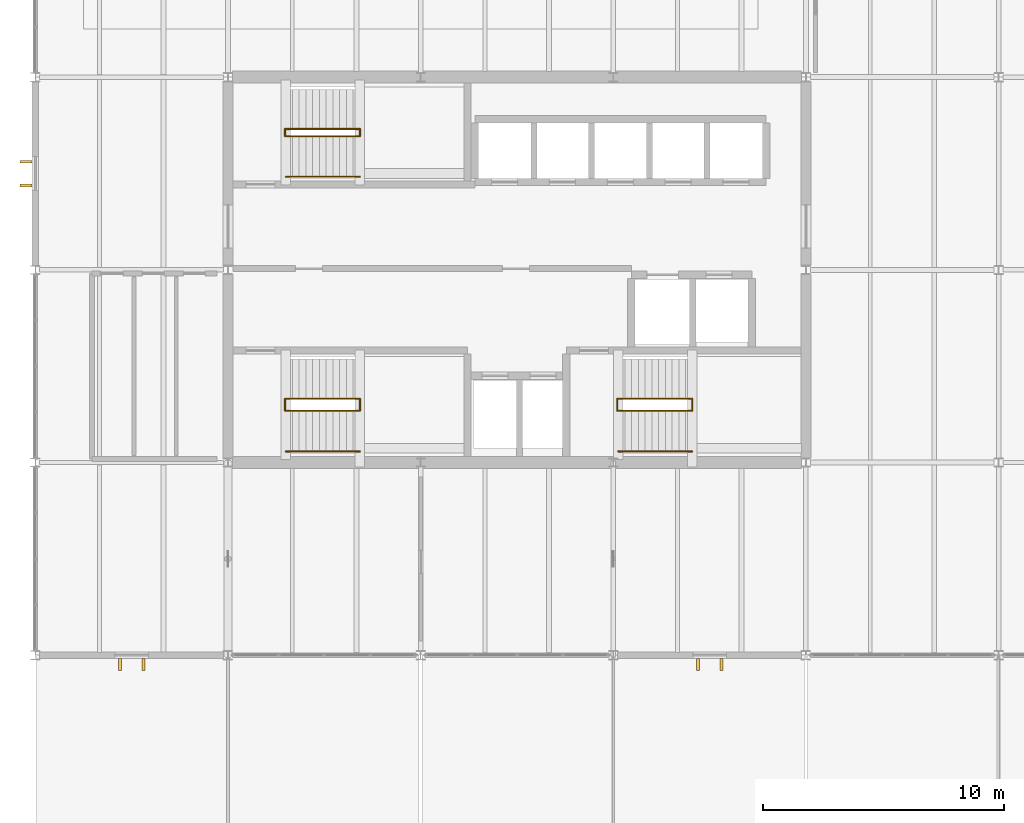
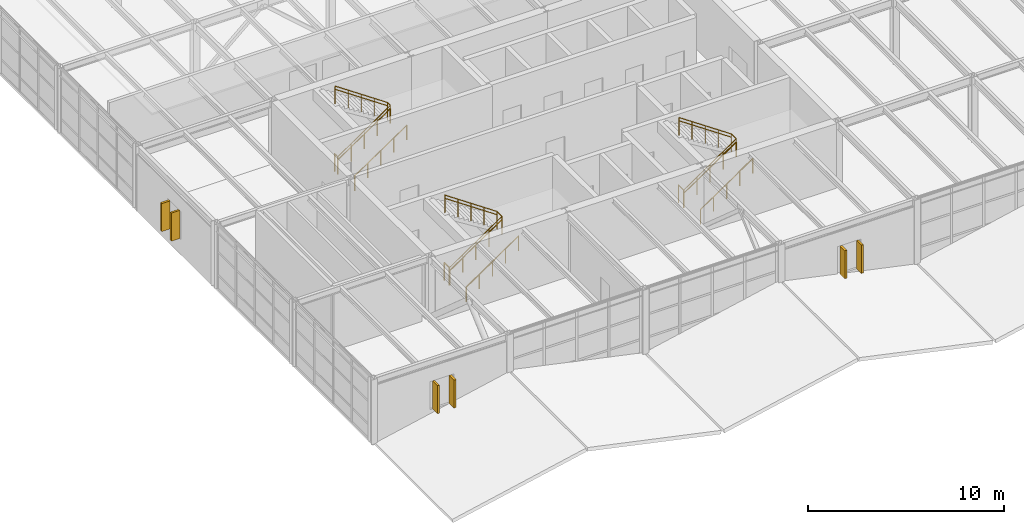
# One storey, part 32 of 34: 18 railings, 6 shading devices.
"""IFC4 building model written with IfcOpenShell, lengths in metres."""

import ifcopenshell
import ifcopenshell.guid

model = None  # the IFC model being written
_history = None  # IfcOwnerHistory: only IFC2X3 demands one
_inside = {}  # id of a spatial element -> (the spatial element, [elements in it])
_under = {}  # id of a project, library or spatial element -> (it, [spatial elements below it])
_declared = {}  # id of a project -> (the project, [libraries it declares])
_typed = {}  # id of a type object -> (the type object, [elements of that type])
_made_of = {}  # id of a material, layer set ... -> (it, [elements and type objects made of it])


def new_model(schema):
    """Start an empty IFC model of exactly this schema.

    Asked for "IFC4X3", IfcOpenShell would pick the latest addendum, in which some entities
    have other attributes; the version numbers below select the first issue.
    IFC2X3 requires an IfcOwnerHistory on every rooted entity: one is made here for all.
    """
    global model, _history
    if schema == "IFC4X3":
        model = ifcopenshell.file(schema_version=(4, 3, 0, 0))
    else:
        model = ifcopenshell.file(schema=schema)
    _inside.clear()
    _under.clear()
    _declared.clear()
    _typed.clear()
    _made_of.clear()
    _history = None
    if model.schema == "IFC2X3":
        org = make("IfcOrganization", Name="unknown")
        user = make(
            "IfcPersonAndOrganization",
            ThePerson=make("IfcPerson", FamilyName="unknown"),
            TheOrganization=org,
        )
        app = make(
            "IfcApplication",
            ApplicationDeveloper=org,
            Version="unknown",
            ApplicationFullName="unknown",
            ApplicationIdentifier="unknown",
        )
        _history = make(
            "IfcOwnerHistory",
            OwningUser=user,
            OwningApplication=app,
            ChangeAction="ADDED",
            CreationDate=0,
        )
    return model


def make(cls, **values):
    """One entity of the class cls with the attributes given. An attribute that is None is left unset."""
    return model.create_entity(
        cls, **{name: value for name, value in values.items() if value is not None}
    )


def rooted(cls, **values):
    """An entity with a GlobalId (a new one), such as an element, a storey or a relation."""
    return make(cls, GlobalId=ifcopenshell.guid.new(), OwnerHistory=_history, **values)


def si_unit(unit_type, name, prefix=None):
    """IfcSIUnit, for example si_unit("LENGTHUNIT", "METRE", prefix="MILLI")."""
    return make("IfcSIUnit", UnitType=unit_type, Prefix=prefix, Name=name)


def assignment(units):
    """IfcUnitAssignment: the units of a project."""
    return None if units is None else make("IfcUnitAssignment", Units=units)


def point(xyz):
    """IfcCartesianPoint."""
    return None if xyz is None else make("IfcCartesianPoint", Coordinates=xyz)


def direction(xyz):
    """IfcDirection."""
    return None if xyz is None else make("IfcDirection", DirectionRatios=xyz)


def frame(location, z_axis=None, x_axis=None):
    """IfcAxis2Placement3D, a coordinate frame: its origin and axes. An axis left out is left unset."""
    return make(
        "IfcAxis2Placement3D",
        Location=point(location),
        Axis=direction(z_axis),
        RefDirection=direction(x_axis),
    )


def frame_2d(location, x_axis=None):
    """IfcAxis2Placement2D, a coordinate frame in the plane: its origin and x axis."""
    return make(
        "IfcAxis2Placement2D", Location=point(location), RefDirection=direction(x_axis)
    )


def origin():
    """The frame at (0, 0, 0) with its axes left unset."""
    return frame((0.0, 0.0, 0.0))


def origin_2d():
    """The frame at (0, 0) in the plane with its x axis left unset."""
    return frame_2d((0.0, 0.0))


def place(relative_to, where):
    """IfcLocalPlacement: puts the frame where relative to a parent placement (None: the world)."""
    return make(
        "IfcLocalPlacement", PlacementRelTo=relative_to, RelativePlacement=where
    )


def context(
    kind, dimensions, precision=None, world=None, true_north=None, identifier=None
):
    """IfcGeometricRepresentationContext, for example the 3D "Model" context."""
    return make(
        "IfcGeometricRepresentationContext",
        ContextIdentifier=identifier,
        ContextType=kind,
        CoordinateSpaceDimension=dimensions,
        Precision=precision,
        WorldCoordinateSystem=world,
        TrueNorth=true_north,
    )


def subcontext(parent, identifier, kind, view, scale=None):
    """IfcGeometricRepresentationSubContext, for example "Body" below "Model"."""
    return make(
        "IfcGeometricRepresentationSubContext",
        ContextIdentifier=identifier,
        ContextType=kind,
        ParentContext=parent,
        TargetScale=scale,
        TargetView=view,
    )


def project(units=None, contexts=None):
    """IfcProject with its units and contexts."""
    return rooted(
        "IfcProject",
        Name="project",
        RepresentationContexts=contexts,
        UnitsInContext=assignment(units),
    )


def spatial(cls, under=None, at=None, **own):
    """A site, building, storey or space (cls), placed at a placement, below another one or the project."""
    s = rooted(cls, ObjectPlacement=at, **own)
    if under is not None:
        _under.setdefault(under.id(), (under, []))[1].append(s)
    return s


def profile(cls, at=None, kind="AREA", **sizes):
    """A parametric profile (cls). Its sizes go by their IFC names, for example OverallWidth=200.0."""
    return make(cls, ProfileType=kind, Position=at, **sizes)


def rectangle(**sizes):
    """IfcRectangleProfileDef."""
    return profile("IfcRectangleProfileDef", **sizes)


def circle(**sizes):
    """IfcCircleProfileDef."""
    return profile("IfcCircleProfileDef", **sizes)


def extrude(swept, where, along, depth):
    """IfcExtrudedAreaSolid: the profile swept, set in the frame where, extruded along a direction by depth."""
    return make(
        "IfcExtrudedAreaSolid",
        SweptArea=swept,
        Position=where,
        ExtrudedDirection=direction(along),
        Depth=depth,
    )


def shape(context_of_items, identifier, shape_type, items):
    """IfcShapeRepresentation: the items that make up one representation, for example the "Body"."""
    return make(
        "IfcShapeRepresentation",
        ContextOfItems=context_of_items,
        RepresentationIdentifier=identifier,
        RepresentationType=shape_type,
        Items=items,
    )


def material(Name=None, Category=None):
    """IfcMaterial."""
    return make("IfcMaterial", Name=Name, Category=Category)


def made_of(thing, what):
    """Note that an element or type object is made of a material, layer set ...; save() writes the relation."""
    if what is not None:
        _made_of.setdefault(what.id(), (what, []))[1].append(thing)
    return thing


def type_object(cls, material=None, **own):
    """A type object (cls), such as IfcWallType, which elements share."""
    return made_of(rooted(cls, **own), material)


def element(
    cls,
    number,
    at=None,
    inside=None,
    cuts=None,
    type_object=None,
    material=None,
    context=None,
    identifier="Body",
    shape_type=None,
    held_by="IfcProductDefinitionShape",
    body=None,
    shapes=None,
    **own,
):
    """One element of the class cls, such as IfcWall. Its Tag is "e" and its number.

    at: its placement. inside: the storey or other place that contains it. cuts: it is an
    opening in that element (IfcRelVoidsElement). A single representation is given by context,
    identifier, shape_type and body (its items); several are given by shapes. held_by: the class
    of the entity that holds the representations. save() writes the other relations.
    """
    e = rooted(cls, Tag="e%d" % number, ObjectPlacement=at, **own)
    if body is not None:
        shapes = [shape(context, identifier, shape_type, body)]
    if shapes is not None:
        e.Representation = make(held_by, Representations=shapes)
    if inside is not None:
        _inside.setdefault(inside.id(), (inside, []))[1].append(e)
    if cuts is not None:
        rooted(
            "IfcRelVoidsElement", RelatingBuildingElement=cuts, RelatedOpeningElement=e
        )
    if type_object is not None:
        _typed.setdefault(type_object.id(), (type_object, []))[1].append(e)
    return made_of(e, material)


def aggregate(whole, parts):
    """IfcRelAggregates: a whole, such as a stair, and the parts it consists of."""
    return rooted("IfcRelAggregates", RelatingObject=whole, RelatedObjects=parts)


def save(model, path):
    """Write the relations noted so far, then the file.

    IfcRelAggregates (storeys below a building ...), IfcRelContainedInSpatialStructure (elements
    in a storey), IfcRelDefinesByType, IfcRelAssociatesMaterial and IfcRelDeclares: one each for
    every whole, place, type object, material and project.
    """
    for whole, parts in _under.values():
        aggregate(whole, parts)
    for where, things in _inside.values():
        rooted(
            "IfcRelContainedInSpatialStructure",
            RelatedElements=things,
            RelatingStructure=where,
        )
    for kind, things in _typed.values():
        rooted("IfcRelDefinesByType", RelatedObjects=things, RelatingType=kind)
    for what, things in _made_of.values():
        rooted("IfcRelAssociatesMaterial", RelatedObjects=things, RelatingMaterial=what)
    for by, libraries in _declared.values():
        rooted("IfcRelDeclares", RelatingContext=by, RelatedDefinitions=libraries)
    model.write(path)


model = new_model("IFC4")

# Units and contexts
model_context = context("Model", 3, precision=1e-05, world=origin(), true_north=direction((0.0, 1.0)))
body_context = subcontext(model_context, "Body", "Model", "MODEL_VIEW")
ifc_project = project(units=[si_unit("LENGTHUNIT", "METRE"), si_unit("AREAUNIT", "SQUARE_METRE"), si_unit("VOLUMEUNIT", "CUBIC_METRE"), si_unit("PLANEANGLEUNIT", "RADIAN"), si_unit("MASSUNIT", "GRAM", prefix="KILO")], contexts=[model_context])

# Site, building, storey
site_placement = place(None, origin())
site = spatial("IfcSite", under=ifc_project, at=site_placement, CompositionType="ELEMENT")
building_placement = place(site_placement, origin())
building = spatial("IfcBuilding", under=site, at=building_placement, Name="Varnela Railside Interchange", CompositionType="ELEMENT")
storey_placement = place(building_placement, frame((0.0, 0.0, 19.60009765625)))
storey = spatial("IfcBuildingStorey", under=building, at=storey_placement, Name="L04", CompositionType="ELEMENT", Elevation=19.60009765625)

# Shading devices
ifc_material_1 = material(Name="Concrete C40 precast", Category="concrete")
shading_device_type = type_object("IfcShadingDeviceType", Name="Paulista Vertical Brise-Soleil BS-01", PredefinedType="USERDEFINED", material=ifc_material_1)
for number, where, z_axis, x_axis, name in (
    (1, (32.489990234375, 45.614990234375, 0.949951171875), (0.0, 0.0, 1.0), (0.0, -1.0, 0.0), "Paulista Vertical Brise-Soleil BS-01 (L04)"),
    (2, (31.510009765625, 45.614990234375, 0.949951171875), (0.0, 0.0, 1.0), (0.0, -1.0, 0.0), "Paulista Vertical Brise-Soleil BS-01 (L04)"),
    (3, (8.489990234375, 45.614990234375, 0.949951171875), (0.0, 0.0, 1.0), (0.0, -1.0, 0.0), "Paulista Vertical Brise-Soleil BS-01 (L04)"),
    (4, (7.510009765625, 45.614990234375, 0.949951171875), (0.0, 0.0, 1.0), (0.0, -1.0, 0.0), "Paulista Vertical Brise-Soleil BS-01 (L04)"),
    (5, (3.614990234375, 65.510009765625, 0.949951171875), (0.0, 0.0, 1.0), (-1.0, 0.0, 0.0), "Paulista Vertical Brise-Soleil BS-01 (L04)"),
    (6, (3.614990234375, 66.489990234375, 0.949951171875), (0.0, 0.0, 1.0), (-1.0, 0.0, 0.0), "Paulista Vertical Brise-Soleil BS-01 (L04)"),
):
    element("IfcShadingDevice", number, at=place(storey_placement, frame(where, z_axis=z_axis, x_axis=x_axis)), inside=storey, type_object=shading_device_type, Name=name, ObjectType="FIN", PredefinedType="USERDEFINED", context=body_context, shape_type="SweptSolid", body=[
        extrude(rectangle(XDim=0.5, YDim=0.1201171875, at=origin_2d()), origin(), (0.0, 0.0, 1.0), 1.75),
    ])

# Railings
ifc_material_2 = material(Name="Steel AR 350 (350 MPa)", Category="steel")
railing_type_1 = type_object("IfcRailingType", Name="Stair & Ramp Pitch Handrail HR-01", PredefinedType="HANDRAIL", material=ifc_material_2)
railing_1_placement = place(storey_placement, frame((14.39990234375, 56.14990234375, 0.0)))
element("IfcRailing", 7, at=railing_1_placement, inside=storey, type_object=railing_type_1, Name="Stair Handrail ST-T1 Flight 1 (RL-0425)", PredefinedType="HANDRAIL", context=body_context, shape_type="SweptSolid", body=[
    extrude(circle(Radius=0.02392578125, at=origin_2d()), frame((0.0, 0.0, 0.89599609375), z_axis=(0.826252282691, 0.0, 0.563300244406), x_axis=(0.0, 1.0, 0.0)), (0.0, 0.0, 1.0), 3.727783203125),
    extrude(circle(Radius=0.02099609375, at=origin_2d()), origin(), (0.0, 0.0, 1.0), 0.871826171875),
    extrude(circle(Radius=0.02099609375, at=origin_2d()), frame((0.77001953125, 0.0, 0.52490234375)), (0.0, 0.0, 1.0), 0.871826171875),
    extrude(circle(Radius=0.02099609375, at=origin_2d()), frame((1.5400390625, 0.0, 1.0498046875)), (0.0, 0.0, 1.0), 0.871826171875),
    extrude(circle(Radius=0.02099609375, at=origin_2d()), frame((2.31005859375, 0.0, 1.574951171875)), (0.0, 0.0, 1.0), 0.871826171875),
    extrude(circle(Radius=0.02099609375, at=origin_2d()), frame((3.080078125, 0.0, 2.099853515625)), (0.0, 0.0, 1.0), 0.871826171875),
])
railing_2_placement = place(storey_placement, frame((17.47998046875, 56.64990234375, 2.099853515625)))
element("IfcRailing", 8, at=railing_2_placement, inside=storey, type_object=railing_type_1, Name="Stair Handrail ST-T1 Flight 2 (RL-0426)", PredefinedType="HANDRAIL", context=body_context, shape_type="SweptSolid", body=[
    extrude(circle(Radius=0.02392578125, at=origin_2d()), frame((0.0, 0.0, 0.89599609375), z_axis=(-0.826221800596, 0.0, 0.563344953133), x_axis=(0.0, -1.0, 0.0)), (0.0, 0.0, 1.0), 3.72802734375),
    extrude(circle(Radius=0.02099609375, at=origin_2d()), origin(), (0.0, 0.0, 1.0), 0.871826171875),
    extrude(circle(Radius=0.02099609375, at=origin_2d()), frame((-0.77001953125, 0.0, 0.52490234375)), (0.0, 0.0, 1.0), 0.871826171875),
    extrude(circle(Radius=0.02099609375, at=origin_2d()), frame((-1.5400390625, 0.0, 1.050048828125)), (0.0, 0.0, 1.0), 0.871826171875),
    extrude(circle(Radius=0.02099609375, at=origin_2d()), frame((-2.31005859375, 0.0, 1.5751953125)), (0.0, 0.0, 1.0), 0.871826171875),
    extrude(circle(Radius=0.02099609375, at=origin_2d()), frame((-3.080078125, 0.0, 2.10009765625)), (0.0, 0.0, 1.0), 0.871826171875),
])
railing_3_placement = place(storey_placement, frame((28.199951171875, 56.14990234375, 0.0)))
element("IfcRailing", 9, at=railing_3_placement, inside=storey, type_object=railing_type_1, Name="Stair Handrail ST-T2 Flight 1 (RL-0427)", PredefinedType="HANDRAIL", context=body_context, shape_type="SweptSolid", body=[
    extrude(circle(Radius=0.02392578125, at=origin_2d()), frame((0.0, 0.0, 0.89599609375), z_axis=(0.826252282691, 0.0, 0.563300244406), x_axis=(0.0, 1.0, 0.0)), (0.0, 0.0, 1.0), 3.727783203125),
    extrude(circle(Radius=0.02099609375, at=origin_2d()), origin(), (0.0, 0.0, 1.0), 0.871826171875),
    extrude(circle(Radius=0.02099609375, at=origin_2d()), frame((0.77001953125, 0.0, 0.52490234375)), (0.0, 0.0, 1.0), 0.871826171875),
    extrude(circle(Radius=0.02099609375, at=origin_2d()), frame((1.5400390625, 0.0, 1.0498046875)), (0.0, 0.0, 1.0), 0.871826171875),
    extrude(circle(Radius=0.02099609375, at=origin_2d()), frame((2.31005859375, 0.0, 1.574951171875)), (0.0, 0.0, 1.0), 0.871826171875),
    extrude(circle(Radius=0.02099609375, at=origin_2d()), frame((3.080078125, 0.0, 2.099853515625)), (0.0, 0.0, 1.0), 0.871826171875),
])
railing_4_placement = place(storey_placement, frame((31.280029296875, 56.64990234375, 2.099853515625)))
element("IfcRailing", 10, at=railing_4_placement, inside=storey, type_object=railing_type_1, Name="Stair Handrail ST-T2 Flight 2 (RL-0428)", PredefinedType="HANDRAIL", context=body_context, shape_type="SweptSolid", body=[
    extrude(circle(Radius=0.02392578125, at=origin_2d()), frame((0.0, 0.0, 0.89599609375), z_axis=(-0.826221800596, 0.0, 0.563344953133), x_axis=(0.0, -1.0, 0.0)), (0.0, 0.0, 1.0), 3.72802734375),
    extrude(circle(Radius=0.02099609375, at=origin_2d()), origin(), (0.0, 0.0, 1.0), 0.871826171875),
    extrude(circle(Radius=0.02099609375, at=origin_2d()), frame((-0.77001953125, 0.0, 0.52490234375)), (0.0, 0.0, 1.0), 0.871826171875),
    extrude(circle(Radius=0.02099609375, at=origin_2d()), frame((-1.5400390625, 0.0, 1.050048828125)), (0.0, 0.0, 1.0), 0.871826171875),
    extrude(circle(Radius=0.02099609375, at=origin_2d()), frame((-2.31005859375, 0.0, 1.5751953125)), (0.0, 0.0, 1.0), 0.871826171875),
    extrude(circle(Radius=0.02099609375, at=origin_2d()), frame((-3.080078125, 0.0, 2.10009765625)), (0.0, 0.0, 1.0), 0.871826171875),
])
railing_5_placement = place(storey_placement, frame((14.39990234375, 67.550048828125, 0.0)))
element("IfcRailing", 11, at=railing_5_placement, inside=storey, type_object=railing_type_1, Name="Stair Handrail ST-T3 Flight 1 (RL-0429)", PredefinedType="HANDRAIL", context=body_context, shape_type="SweptSolid", body=[
    extrude(circle(Radius=0.02392578125, at=origin_2d()), frame((0.0, 0.0, 0.89599609375), z_axis=(0.826252282691, 0.0, 0.563300244406), x_axis=(0.0, 1.0, 0.0)), (0.0, 0.0, 1.0), 3.727783203125),
    extrude(circle(Radius=0.02099609375, at=origin_2d()), origin(), (0.0, 0.0, 1.0), 0.871826171875),
    extrude(circle(Radius=0.02099609375, at=origin_2d()), frame((0.77001953125, 0.0, 0.52490234375)), (0.0, 0.0, 1.0), 0.871826171875),
    extrude(circle(Radius=0.02099609375, at=origin_2d()), frame((1.5400390625, 0.0, 1.0498046875)), (0.0, 0.0, 1.0), 0.871826171875),
    extrude(circle(Radius=0.02099609375, at=origin_2d()), frame((2.31005859375, 0.0, 1.574951171875)), (0.0, 0.0, 1.0), 0.871826171875),
    extrude(circle(Radius=0.02099609375, at=origin_2d()), frame((3.080078125, 0.0, 2.099853515625)), (0.0, 0.0, 1.0), 0.871826171875),
])
railing_6_placement = place(storey_placement, frame((17.47998046875, 67.85009765625, 2.099853515625)))
element("IfcRailing", 12, at=railing_6_placement, inside=storey, type_object=railing_type_1, Name="Stair Handrail ST-T3 Flight 2 (RL-0430)", PredefinedType="HANDRAIL", context=body_context, shape_type="SweptSolid", body=[
    extrude(circle(Radius=0.02392578125, at=origin_2d()), frame((0.0, 0.0, 0.89599609375), z_axis=(-0.826221800596, 0.0, 0.563344953133), x_axis=(0.0, -1.0, 0.0)), (0.0, 0.0, 1.0), 3.72802734375),
    extrude(circle(Radius=0.02099609375, at=origin_2d()), origin(), (0.0, 0.0, 1.0), 0.871826171875),
    extrude(circle(Radius=0.02099609375, at=origin_2d()), frame((-0.77001953125, 0.0, 0.52490234375)), (0.0, 0.0, 1.0), 0.871826171875),
    extrude(circle(Radius=0.02099609375, at=origin_2d()), frame((-1.5400390625, 0.0, 1.050048828125)), (0.0, 0.0, 1.0), 0.871826171875),
    extrude(circle(Radius=0.02099609375, at=origin_2d()), frame((-2.31005859375, 0.0, 1.5751953125)), (0.0, 0.0, 1.0), 0.871826171875),
    extrude(circle(Radius=0.02099609375, at=origin_2d()), frame((-3.080078125, 0.0, 2.10009765625)), (0.0, 0.0, 1.0), 0.871826171875),
])
railing_type_2 = type_object("IfcRailingType", Name="Stair Well & Landing Guard GR-02", PredefinedType="GUARDRAIL", material=ifc_material_2)
railing_7_placement = place(storey_placement, frame((14.3701171875, 56.14990234375, 0.0)))
element("IfcRailing", 13, at=railing_7_placement, inside=storey, type_object=railing_type_2, Name="Stair Well Slot Guard ST-T1 on L04 (RL-0414)", PredefinedType="GUARDRAIL", context=body_context, shape_type="SweptSolid", body=[
    extrude(circle(Radius=0.02392578125, at=origin_2d()), frame((0.0, 0.0, 1.09619140625), z_axis=(0.0, 1.0, 0.0), x_axis=(-1.0, 0.0, 0.0)), (0.0, 0.0, 1.0), 0.5),
    extrude(circle(Radius=0.02099609375, at=origin_2d()), origin(), (0.0, 0.0, 1.0), 1.072021484375),
    extrude(circle(Radius=0.02099609375, at=origin_2d()), frame((0.0, 0.5, 0.0)), (0.0, 0.0, 1.0), 1.072021484375),
])
railing_8_placement = place(storey_placement, frame((14.39990234375, 56.14990234375, 0.0)))
element("IfcRailing", 14, at=railing_8_placement, inside=storey, type_object=railing_type_2, Name="Stair Guard ST-T1 Half-Landing (RL-0412)", PredefinedType="GUARDRAIL", context=body_context, shape_type="SweptSolid", body=[
    extrude(circle(Radius=0.02392578125, at=origin_2d()), frame((0.0, 0.0, 1.09619140625), z_axis=(0.826252282691, 0.0, 0.563300244406), x_axis=(0.0, 1.0, 0.0)), (0.0, 0.0, 1.0), 3.727783203125),
    extrude(circle(Radius=0.02392578125, at=origin_2d()), frame((3.080078125, 0.0, 3.19580078125), z_axis=(0.0, 1.0, 0.0), x_axis=(-1.0, 0.0, 0.0)), (0.0, 0.0, 1.0), 0.5),
    extrude(circle(Radius=0.02099609375, at=origin_2d()), origin(), (0.0, 0.0, 1.0), 1.072021484375),
    extrude(circle(Radius=0.02099609375, at=origin_2d()), frame((0.77001953125, 0.0, 0.52490234375)), (0.0, 0.0, 1.0), 1.072021484375),
    extrude(circle(Radius=0.02099609375, at=origin_2d()), frame((1.5400390625, 0.0, 1.0498046875)), (0.0, 0.0, 1.0), 1.072021484375),
    extrude(circle(Radius=0.02099609375, at=origin_2d()), frame((2.31005859375, 0.0, 1.574951171875)), (0.0, 0.0, 1.0), 1.072021484375),
    extrude(circle(Radius=0.02099609375, at=origin_2d()), frame((3.080078125, 0.0, 2.099853515625)), (0.0, 0.0, 1.0), 1.072021484375),
    extrude(circle(Radius=0.02099609375, at=origin_2d()), frame((3.080078125, 0.5, 2.099853515625)), (0.0, 0.0, 1.0), 1.072021484375),
])
railing_9_placement = place(storey_placement, frame((17.47998046875, 56.64990234375, 2.099853515625)))
element("IfcRailing", 15, at=railing_9_placement, inside=storey, type_object=railing_type_2, Name="Stair Guard ST-T1 Upper Flight (RL-0413)", PredefinedType="GUARDRAIL", context=body_context, shape_type="SweptSolid", body=[
    extrude(circle(Radius=0.02392578125, at=origin_2d()), frame((0.0, 0.0, 1.09619140625), z_axis=(-0.826221800596, 0.0, 0.563344953133), x_axis=(0.0, -1.0, 0.0)), (0.0, 0.0, 1.0), 3.72802734375),
    extrude(circle(Radius=0.02099609375, at=origin_2d()), origin(), (0.0, 0.0, 1.0), 1.072021484375),
    extrude(circle(Radius=0.02099609375, at=origin_2d()), frame((-0.77001953125, 0.0, 0.52490234375)), (0.0, 0.0, 1.0), 1.072021484375),
    extrude(circle(Radius=0.02099609375, at=origin_2d()), frame((-1.5400390625, 0.0, 1.050048828125)), (0.0, 0.0, 1.0), 1.072021484375),
    extrude(circle(Radius=0.02099609375, at=origin_2d()), frame((-2.31005859375, 0.0, 1.5751953125)), (0.0, 0.0, 1.0), 1.072021484375),
    extrude(circle(Radius=0.02099609375, at=origin_2d()), frame((-3.080078125, 0.0, 2.10009765625)), (0.0, 0.0, 1.0), 1.072021484375),
])
railing_10_placement = place(storey_placement, frame((28.169921875, 56.14990234375, 0.0)))
element("IfcRailing", 16, at=railing_10_placement, inside=storey, type_object=railing_type_2, Name="Stair Well Slot Guard ST-T2 on L04 (RL-0417)", PredefinedType="GUARDRAIL", context=body_context, shape_type="SweptSolid", body=[
    extrude(circle(Radius=0.02392578125, at=origin_2d()), frame((0.0, 0.0, 1.09619140625), z_axis=(0.0, 1.0, 0.0), x_axis=(-1.0, 0.0, 0.0)), (0.0, 0.0, 1.0), 0.5),
    extrude(circle(Radius=0.02099609375, at=origin_2d()), origin(), (0.0, 0.0, 1.0), 1.072021484375),
    extrude(circle(Radius=0.02099609375, at=origin_2d()), frame((0.0, 0.5, 0.0)), (0.0, 0.0, 1.0), 1.072021484375),
])
railing_11_placement = place(storey_placement, frame((28.199951171875, 56.14990234375, 0.0)))
element("IfcRailing", 17, at=railing_11_placement, inside=storey, type_object=railing_type_2, Name="Stair Guard ST-T2 Half-Landing (RL-0415)", PredefinedType="GUARDRAIL", context=body_context, shape_type="SweptSolid", body=[
    extrude(circle(Radius=0.02392578125, at=origin_2d()), frame((0.0, 0.0, 1.09619140625), z_axis=(0.826252282691, 0.0, 0.563300244406), x_axis=(0.0, 1.0, 0.0)), (0.0, 0.0, 1.0), 3.727783203125),
    extrude(circle(Radius=0.02392578125, at=origin_2d()), frame((3.080078125, 0.0, 3.19580078125), z_axis=(0.0, 1.0, 0.0), x_axis=(-1.0, 0.0, 0.0)), (0.0, 0.0, 1.0), 0.5),
    extrude(circle(Radius=0.02099609375, at=origin_2d()), origin(), (0.0, 0.0, 1.0), 1.072021484375),
    extrude(circle(Radius=0.02099609375, at=origin_2d()), frame((0.77001953125, 0.0, 0.52490234375)), (0.0, 0.0, 1.0), 1.072021484375),
    extrude(circle(Radius=0.02099609375, at=origin_2d()), frame((1.5400390625, 0.0, 1.0498046875)), (0.0, 0.0, 1.0), 1.072021484375),
    extrude(circle(Radius=0.02099609375, at=origin_2d()), frame((2.31005859375, 0.0, 1.574951171875)), (0.0, 0.0, 1.0), 1.072021484375),
    extrude(circle(Radius=0.02099609375, at=origin_2d()), frame((3.080078125, 0.0, 2.099853515625)), (0.0, 0.0, 1.0), 1.072021484375),
    extrude(circle(Radius=0.02099609375, at=origin_2d()), frame((3.080078125, 0.5, 2.099853515625)), (0.0, 0.0, 1.0), 1.072021484375),
])
railing_12_placement = place(storey_placement, frame((31.280029296875, 56.64990234375, 2.099853515625)))
element("IfcRailing", 18, at=railing_12_placement, inside=storey, type_object=railing_type_2, Name="Stair Guard ST-T2 Upper Flight (RL-0416)", PredefinedType="GUARDRAIL", context=body_context, shape_type="SweptSolid", body=[
    extrude(circle(Radius=0.02392578125, at=origin_2d()), frame((0.0, 0.0, 1.09619140625), z_axis=(-0.826221800596, 0.0, 0.563344953133), x_axis=(0.0, -1.0, 0.0)), (0.0, 0.0, 1.0), 3.72802734375),
    extrude(circle(Radius=0.02099609375, at=origin_2d()), origin(), (0.0, 0.0, 1.0), 1.072021484375),
    extrude(circle(Radius=0.02099609375, at=origin_2d()), frame((-0.77001953125, 0.0, 0.52490234375)), (0.0, 0.0, 1.0), 1.072021484375),
    extrude(circle(Radius=0.02099609375, at=origin_2d()), frame((-1.5400390625, 0.0, 1.050048828125)), (0.0, 0.0, 1.0), 1.072021484375),
    extrude(circle(Radius=0.02099609375, at=origin_2d()), frame((-2.31005859375, 0.0, 1.5751953125)), (0.0, 0.0, 1.0), 1.072021484375),
    extrude(circle(Radius=0.02099609375, at=origin_2d()), frame((-3.080078125, 0.0, 2.10009765625)), (0.0, 0.0, 1.0), 1.072021484375),
])
railing_13_placement = place(storey_placement, frame((14.3701171875, 67.550048828125, 0.0)))
element("IfcRailing", 19, at=railing_13_placement, inside=storey, type_object=railing_type_2, Name="Stair Well Slot Guard ST-T3 on L04 (RL-0420)", PredefinedType="GUARDRAIL", context=body_context, shape_type="SweptSolid", body=[
    extrude(circle(Radius=0.02392578125, at=origin_2d()), frame((0.0, 0.0, 1.09619140625), z_axis=(0.0, 1.0, 0.0), x_axis=(-1.0, 0.0, 0.0)), (0.0, 0.0, 1.0), 0.300048828125),
    extrude(circle(Radius=0.02099609375, at=origin_2d()), origin(), (0.0, 0.0, 1.0), 1.072021484375),
    extrude(circle(Radius=0.02099609375, at=origin_2d()), frame((0.0, 0.300048828125, 0.0)), (0.0, 0.0, 1.0), 1.072021484375),
])
railing_14_placement = place(storey_placement, frame((14.39990234375, 67.550048828125, 0.0)))
element("IfcRailing", 20, at=railing_14_placement, inside=storey, type_object=railing_type_2, Name="Stair Guard ST-T3 Half-Landing (RL-0418)", PredefinedType="GUARDRAIL", context=body_context, shape_type="SweptSolid", body=[
    extrude(circle(Radius=0.02392578125, at=origin_2d()), frame((0.0, 0.0, 1.09619140625), z_axis=(0.826252282691, 0.0, 0.563300244406), x_axis=(0.0, 1.0, 0.0)), (0.0, 0.0, 1.0), 3.727783203125),
    extrude(circle(Radius=0.02392578125, at=origin_2d()), frame((3.080078125, 0.0, 3.19580078125), z_axis=(0.0, 1.0, 0.0), x_axis=(-1.0, 0.0, 0.0)), (0.0, 0.0, 1.0), 0.300048828125),
    extrude(circle(Radius=0.02099609375, at=origin_2d()), origin(), (0.0, 0.0, 1.0), 1.072021484375),
    extrude(circle(Radius=0.02099609375, at=origin_2d()), frame((0.77001953125, 0.0, 0.52490234375)), (0.0, 0.0, 1.0), 1.072021484375),
    extrude(circle(Radius=0.02099609375, at=origin_2d()), frame((1.5400390625, 0.0, 1.0498046875)), (0.0, 0.0, 1.0), 1.072021484375),
    extrude(circle(Radius=0.02099609375, at=origin_2d()), frame((2.31005859375, 0.0, 1.574951171875)), (0.0, 0.0, 1.0), 1.072021484375),
    extrude(circle(Radius=0.02099609375, at=origin_2d()), frame((3.080078125, 0.0, 2.099853515625)), (0.0, 0.0, 1.0), 1.072021484375),
    extrude(circle(Radius=0.02099609375, at=origin_2d()), frame((3.080078125, 0.300048828125, 2.099853515625)), (0.0, 0.0, 1.0), 1.072021484375),
])
railing_15_placement = place(storey_placement, frame((17.47998046875, 67.85009765625, 2.099853515625)))
element("IfcRailing", 21, at=railing_15_placement, inside=storey, type_object=railing_type_2, Name="Stair Guard ST-T3 Upper Flight (RL-0419)", PredefinedType="GUARDRAIL", context=body_context, shape_type="SweptSolid", body=[
    extrude(circle(Radius=0.02392578125, at=origin_2d()), frame((0.0, 0.0, 1.09619140625), z_axis=(-0.826221800596, 0.0, 0.563344953133), x_axis=(0.0, -1.0, 0.0)), (0.0, 0.0, 1.0), 3.72802734375),
    extrude(circle(Radius=0.02099609375, at=origin_2d()), origin(), (0.0, 0.0, 1.0), 1.072021484375),
    extrude(circle(Radius=0.02099609375, at=origin_2d()), frame((-0.77001953125, 0.0, 0.52490234375)), (0.0, 0.0, 1.0), 1.072021484375),
    extrude(circle(Radius=0.02099609375, at=origin_2d()), frame((-1.5400390625, 0.0, 1.050048828125)), (0.0, 0.0, 1.0), 1.072021484375),
    extrude(circle(Radius=0.02099609375, at=origin_2d()), frame((-2.31005859375, 0.0, 1.5751953125)), (0.0, 0.0, 1.0), 1.072021484375),
    extrude(circle(Radius=0.02099609375, at=origin_2d()), frame((-3.080078125, 0.0, 2.10009765625)), (0.0, 0.0, 1.0), 1.072021484375),
])
railing_type_3 = type_object("IfcRailingType", Name="Wall-Mounted Stair Handrail HR-02", PredefinedType="HANDRAIL", material=ifc_material_2)
for number, where, name in (
    (22, (14.39990234375, 54.4599609375, 0.0), "Wall Handrail ST-T1 Flight 1 (RL-0431)"),
    (23, (28.199951171875, 54.4599609375, 0.0), "Wall Handrail ST-T2 Flight 1 (RL-0432)"),
    (24, (14.39990234375, 65.860107421875, 0.0), "Wall Handrail ST-T3 Flight 1 (RL-0433)"),
):
    element("IfcRailing", number, at=place(storey_placement, frame(where)), inside=storey, type_object=railing_type_3, Name=name, PredefinedType="HANDRAIL", context=body_context, shape_type="SweptSolid", body=[
        extrude(circle(Radius=0.02392578125, at=origin_2d()), frame((0.0, 0.0, 0.89599609375), z_axis=(0.826252282691, 0.0, 0.563300244406), x_axis=(0.0, 1.0, 0.0)), (0.0, 0.0, 1.0), 3.727783203125),
        extrude(circle(Radius=0.02099609375, at=origin_2d()), origin(), (0.0, 0.0, 1.0), 0.871826171875),
        extrude(circle(Radius=0.02099609375, at=origin_2d()), frame((0.77001953125, 0.0, 0.52490234375)), (0.0, 0.0, 1.0), 0.871826171875),
        extrude(circle(Radius=0.02099609375, at=origin_2d()), frame((1.5400390625, 0.0, 1.0498046875)), (0.0, 0.0, 1.0), 0.871826171875),
        extrude(circle(Radius=0.02099609375, at=origin_2d()), frame((2.31005859375, 0.0, 1.574951171875)), (0.0, 0.0, 1.0), 0.871826171875),
        extrude(circle(Radius=0.02099609375, at=origin_2d()), frame((3.080078125, 0.0, 2.099853515625)), (0.0, 0.0, 1.0), 0.871826171875),
    ])

save(model, "model.ifc")
